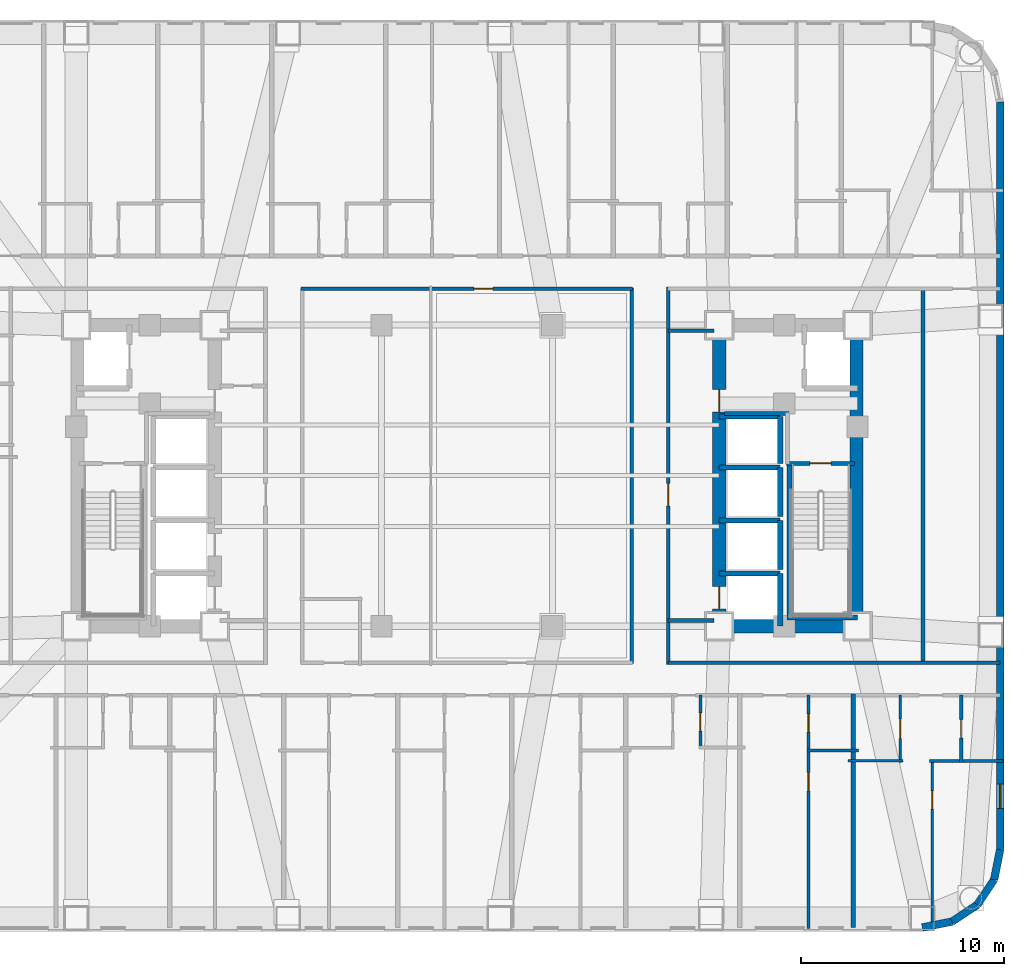
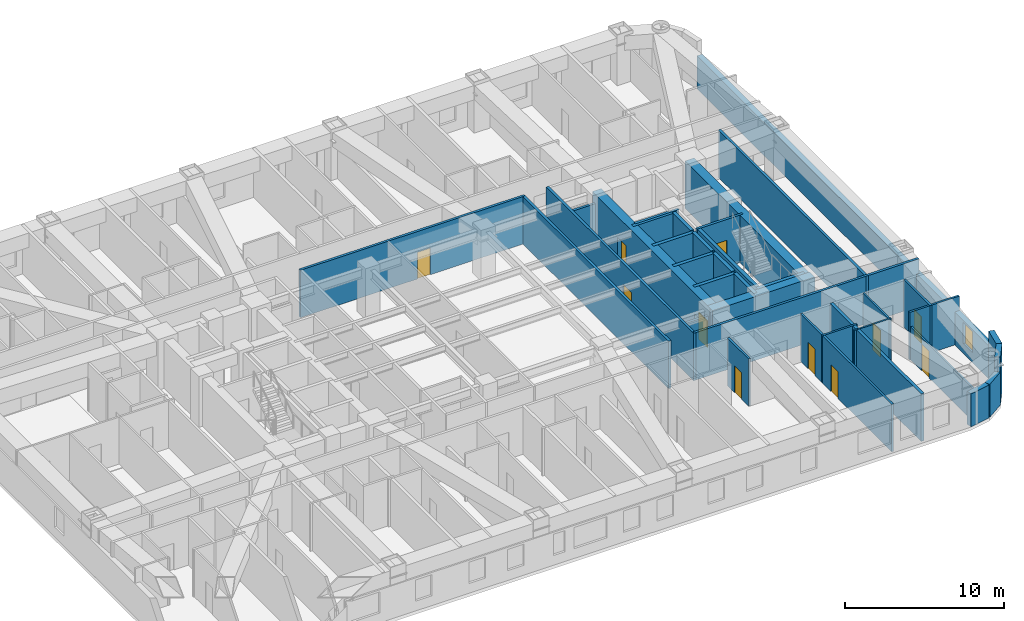
# One storey, part 6 of 12: 37 walls, 11 doors, 1 window, 12 openings.
"""IFC4 building model written with IfcOpenShell, lengths in metres."""

from ifc_helpers import new_model, si_unit, direction, frame, frame_2d, origin, place, context, subcontext, project, spatial, rectangle, extrude, material, layer, layer_set, type_object, element, fill, save


model = new_model("IFC4")

# Units and contexts
model_context = context("Model", 3, precision=1e-05, world=origin(), true_north=direction((0.0, 1.0)))
body_context = subcontext(model_context, "Body", "Model", "MODEL_VIEW")
ifc_project = project(units=[si_unit("LENGTHUNIT", "METRE"), si_unit("AREAUNIT", "SQUARE_METRE"), si_unit("VOLUMEUNIT", "CUBIC_METRE"), si_unit("PLANEANGLEUNIT", "RADIAN"), si_unit("MASSUNIT", "GRAM", prefix="KILO")], contexts=[model_context])

# Site, building, storey
site_placement = place(None, origin())
site = spatial("IfcSite", under=ifc_project, at=site_placement, CompositionType="ELEMENT")
building_placement = place(site_placement, origin())
building = spatial("IfcBuilding", under=site, at=building_placement, Name="Voryun Gate Residences", CompositionType="ELEMENT")
storey_placement = place(building_placement, frame((0.0, 0.0, 29.89990234375)))
storey = spatial("IfcBuildingStorey", under=building, at=storey_placement, Name="L06", CompositionType="ELEMENT", Elevation=29.89990234375)

# Wall
ifc_material_1 = material(Name="Concrete C60/75", Category="concrete")
ifc_layer_1 = layer(ifc_material_1, 0.64990234375, Name="CW_CORE_650")
ifc_layer_set_1 = layer_set([ifc_layer_1], Name="Concrete C60/75")
wall_type_1 = type_object("IfcWallType", Name="CW_CORE_650", PredefinedType="SHEAR", material=ifc_layer_set_1)
wall_1_placement = place(storey_placement, frame((12.074951171875, -7.39990234375, 0.0), z_axis=(0.0, 0.0, 1.0), x_axis=(1.0, 0.0, 0.0)))
element("IfcWall", 1, at=wall_1_placement, inside=storey, type_object=wall_type_1, Name="L06 Core shear wall CW-L06-ES", PredefinedType="SHEAR", context=body_context, shape_type="SweptSolid", body=[
    extrude(rectangle(XDim=7.449951171875, YDim=0.64990234375, at=frame_2d((3.72509765625, 0.0))), origin(), (0.0, 0.0, 1.0), 3.650146484375),
])

# Wall, openings, doors
wall_2_placement = place(storey_placement, frame((12.39990234375, -7.39990234375, 0.0), z_axis=(0.0, 0.0, 1.0), x_axis=(0.0, 1.0, 0.0)))
wall_2 = element("IfcWall", 2, at=wall_2_placement, inside=storey, type_object=wall_type_1, Name="L06 Core shear wall CW-L06-EW", PredefinedType="SHEAR", context=body_context, shape_type="SweptSolid", body=[
    extrude(rectangle(XDim=14.7998046875, YDim=0.64990234375, at=frame_2d((7.39990234375, 0.0))), origin(), (0.0, 0.0, 1.0), 3.650146484375),
])
opening_1_placement = place(wall_2_placement, frame((0.85009765625, 0.0, 0.0)))
opening_1 = element("IfcOpeningElement", 3, at=opening_1_placement, cuts=wall_2, Name="Opening LD2", PredefinedType="OPENING", context=body_context, shape_type="SweptSolid", body=[
    extrude(rectangle(XDim=1.10009765625, YDim=2.050048828125, at=frame_2d((0.550048828125, 1.02490234375))), frame((0.0, 0.3349609375, 0.0), z_axis=(0.0, -1.0, 0.0), x_axis=(1.0, 0.0, 0.0)), (0.0, 0.0, 1.0), 0.669921875),
])
opening_2_placement = place(wall_2_placement, frame((10.530029296875, 0.0, 0.0)))
opening_2 = element("IfcOpeningElement", 4, at=opening_2_placement, cuts=wall_2, Name="Opening D-FD60-2", PredefinedType="OPENING", context=body_context, shape_type="SweptSolid", body=[
    extrude(rectangle(XDim=1.10009765625, YDim=2.050048828125, at=frame_2d((0.550048828125, 1.02490234375))), frame((0.0, 0.3349609375, 0.0), z_axis=(0.0, -1.0, 0.0), x_axis=(1.0, 0.0, 0.0)), (0.0, 0.0, 1.0), 0.669921875),
])
ifc_material_2 = material(Name="Painted steel fire door", Category="steel")
door_type_1 = type_object("IfcDoorType", Name="DR_FD60_FFLOB_1100", OperationType="NOTDEFINED", PredefinedType="DOOR", material=ifc_material_2)
door_1_placement = place(opening_2_placement, origin())
door_1 = element("IfcDoor", 5, at=door_1_placement, inside=storey, type_object=door_type_1, Name="Door DR-L06-CLOB-E", OperationType="SINGLE_SWING_RIGHT", OverallHeight=2.050048828125, OverallWidth=1.10009765625, PredefinedType="DOOR", context=body_context, shape_type="SweptSolid", body=[
    extrude(rectangle(XDim=1.10009765625, YDim=2.050048828125, at=frame_2d((0.550048828125, 1.02490234375))), frame((0.0, 0.02490234375, 0.0), z_axis=(0.0, -1.0, 0.0), x_axis=(1.0, 0.0, 0.0)), (0.0, 0.0, 1.0), 0.050048828125),
])
fill(opening_2, door_1)
ifc_material_3 = material(Name="Anodised aluminium", Category="aluminium")
door_type_2 = type_object("IfcDoorType", Name="DR_LD_PASS_1100", OperationType="NOTDEFINED", PredefinedType="DOOR", material=ifc_material_3)
door_2_placement = place(opening_1_placement, origin())
door_2 = element("IfcDoor", 6, at=door_2_placement, inside=storey, type_object=door_type_2, Name="Lift EL-P3 sliding landing door L06", OperationType="SLIDING_TO_LEFT", OverallHeight=2.050048828125, OverallWidth=1.10009765625, PredefinedType="DOOR", context=body_context, shape_type="SweptSolid", body=[
    extrude(rectangle(XDim=1.10009765625, YDim=2.050048828125, at=frame_2d((0.550048828125, 1.02490234375))), frame((0.0, 0.02490234375, 0.0), z_axis=(0.0, -1.0, 0.0), x_axis=(1.0, 0.0, 0.0)), (0.0, 0.0, 1.0), 0.050048828125),
])
fill(opening_1, door_2)

# Wall
wall_3_placement = place(storey_placement, frame((19.14501953125, -7.39990234375, 0.0), z_axis=(0.0, 0.0, 1.0), x_axis=(0.0, 1.0, 0.0)))
element("IfcWall", 7, at=wall_3_placement, inside=storey, type_object=wall_type_1, Name="L06 Core shear wall CW-L06-EE", PredefinedType="SHEAR", context=body_context, shape_type="SweptSolid", body=[
    extrude(rectangle(XDim=14.7998046875, YDim=0.64990234375, at=frame_2d((7.39990234375, 0.0))), origin(), (0.0, 0.0, 1.0), 3.650146484375),
])

# Wall, opening, door
ifc_material_4 = material(Name="Gypsum acoustic fireboard")
ifc_layer_2 = layer(ifc_material_4, 0.179931640625, Name="W_CORR_RATED_180")
ifc_layer_set_2 = layer_set([ifc_layer_2], Name="Gypsum acoustic fireboard")
wall_type_2 = type_object("IfcWallType", Name="W_CORR_RATED_180", PredefinedType="PARTITIONING", material=ifc_layer_set_2)
wall_4_placement = place(storey_placement, frame((15.699951171875, 0.60009765625, 0.0), z_axis=(0.0, 0.0, 1.0), x_axis=(1.0, 0.0, 0.0)))
wall_4 = element("IfcWall", 8, at=wall_4_placement, inside=storey, type_object=wall_type_2, Name="Partition wall WP-L06-STV-E", PredefinedType="PARTITIONING", context=body_context, shape_type="SweptSolid", body=[
    extrude(rectangle(XDim=3.360107421875, YDim=0.179931640625, at=frame_2d((1.68017578125, 0.0))), origin(), (0.0, 0.0, 1.0), 3.650146484375),
])
opening_3_placement = place(wall_4_placement, frame((1.155029296875, 0.0, 0.0)))
opening_3 = element("IfcOpeningElement", 9, at=opening_3_placement, cuts=wall_4, Name="Opening D-FD60-1", PredefinedType="OPENING", context=body_context, shape_type="SweptSolid", body=[
    extrude(rectangle(XDim=1.050048828125, YDim=2.050048828125, at=frame_2d((0.52490234375, 1.02490234375))), frame((0.0, 0.099853515625, 0.0), z_axis=(0.0, -1.0, 0.0), x_axis=(1.0, 0.0, 0.0)), (0.0, 0.0, 1.0), 0.199951171875),
])
ifc_material_5 = material(Name="Painted steel fire door", Category="steel")
door_type_3 = type_object("IfcDoorType", Name="DR_FD60_STAIR_1050", OperationType="NOTDEFINED", PredefinedType="DOOR", material=ifc_material_5)
door_3_placement = place(opening_3_placement, origin())
door_3 = element("IfcDoor", 10, at=door_3_placement, inside=storey, type_object=door_type_3, Name="Door DR-L06-ST-E", OperationType="SINGLE_SWING_RIGHT", OverallHeight=2.050048828125, OverallWidth=1.050048828125, PredefinedType="DOOR", context=body_context, shape_type="SweptSolid", body=[
    extrude(rectangle(XDim=1.050048828125, YDim=2.050048828125, at=frame_2d((0.52490234375, 1.02490234375))), frame((0.0, 0.02490234375, 0.0), z_axis=(0.0, -1.0, 0.0), x_axis=(1.0, 0.0, 0.0)), (0.0, 0.0, 1.0), 0.050048828125),
])
fill(opening_3, door_3)

# Walls
for number, where, z_axis, x_axis, name in (
    (11, (9.8798828125, 7.1201171875, 0.0), (0.0, 0.0, 1.0), (1.0, 0.0, 0.0), "Partition wall WP-L06-PLBN-E"),
    (12, (9.8798828125, -7.1201171875, 0.0), (0.0, 0.0, 1.0), (1.0, 0.0, 0.0), "Partition wall WP-L06-PLBS-E"),
):
    element("IfcWall", number, at=place(storey_placement, frame(where, z_axis=z_axis, x_axis=x_axis)), inside=storey, type_object=wall_type_2, Name=name, PredefinedType="PARTITIONING", context=body_context, shape_type="SweptSolid", body=[
        extrude(rectangle(XDim=2.27001953125, YDim=0.179931640625, at=frame_2d((1.135009765625, 0.0))), origin(), (0.0, 0.0, 1.0), 2.940185546875),
    ])

# Wall, opening, door
wall_5_placement = place(storey_placement, frame((9.89990234375, -9.280029296875, 0.0), z_axis=(0.0, 0.0, 1.0), x_axis=(0.0, 1.0, 0.0)))
wall_5 = element("IfcWall", 13, at=wall_5_placement, inside=storey, type_object=wall_type_2, Name="Partition wall WP-L06-PLBE-FULL", PredefinedType="PARTITIONING", context=body_context, shape_type="SweptSolid", body=[
    extrude(rectangle(XDim=18.56005859375, YDim=0.179931640625, at=frame_2d((9.280029296875, 0.0))), origin(), (0.0, 0.0, 1.0), 3.650146484375),
])
opening_4_placement = place(wall_5_placement, frame((7.802001953125, 0.0, 0.0)))
opening_4 = element("IfcOpeningElement", 14, at=opening_4_placement, cuts=wall_5, Name="Opening D-FD60-2", PredefinedType="OPENING", context=body_context, shape_type="SweptSolid", body=[
    extrude(rectangle(XDim=1.10009765625, YDim=2.050048828125, at=frame_2d((0.550048828125, 1.02490234375))), frame((0.0, 0.099853515625, 0.0), z_axis=(0.0, -1.0, 0.0), x_axis=(1.0, 0.0, 0.0)), (0.0, 0.0, 1.0), 0.199951171875),
])
door_4_placement = place(opening_4_placement, origin())
door_4 = element("IfcDoor", 15, at=door_4_placement, inside=storey, type_object=door_type_1, Name="Door DR-L06-PLBE-COR", OperationType="SINGLE_SWING_RIGHT", OverallHeight=2.050048828125, OverallWidth=1.10009765625, PredefinedType="DOOR", context=body_context, shape_type="SweptSolid", body=[
    extrude(rectangle(XDim=1.10009765625, YDim=2.050048828125, at=frame_2d((0.550048828125, 1.02490234375))), frame((0.0, 0.02490234375, 0.0), z_axis=(0.0, -1.0, 0.0), x_axis=(1.0, 0.0, 0.0)), (0.0, 0.0, 1.0), 0.050048828125),
])
fill(opening_4, door_4)

# Wall
wall_6_placement = place(storey_placement, frame((9.8798828125, -9.18994140625, 0.0), z_axis=(0.0, 0.0, 1.0), x_axis=(1.0, 0.0, 0.0)))
element("IfcWall", 16, at=wall_6_placement, inside=storey, type_object=wall_type_2, Name="Partition wall WP-L06-CWING-ES", PredefinedType="PARTITIONING", context=body_context, shape_type="SweptSolid", body=[
    extrude(rectangle(XDim=16.330078125, YDim=0.179931640625, at=frame_2d((8.1650390625, 0.0))), origin(), (0.0, 0.0, 1.0), 3.650146484375),
])

# Wall, opening, door
wall_7_placement = place(storey_placement, frame((-8.14990234375, 9.18994140625, 0.0), z_axis=(0.0, 0.0, 1.0), x_axis=(1.0, 0.0, 0.0)))
wall_7 = element("IfcWall", 17, at=wall_7_placement, inside=storey, type_object=wall_type_2, Name="Partition wall WP-L06-Z1N", PredefinedType="PARTITIONING", context=body_context, shape_type="SweptSolid", body=[
    extrude(rectangle(XDim=16.2998046875, YDim=0.179931640625, at=frame_2d((8.14990234375, 0.0))), origin(), (0.0, 0.0, 1.0), 3.650146484375),
])
opening_5_placement = place(wall_7_placement, frame((8.489990234375, 0.0, 0.0)))
opening_5 = element("IfcOpeningElement", 18, at=opening_5_placement, cuts=wall_7, Name="Opening D-INT-1", PredefinedType="OPENING", context=body_context, shape_type="SweptSolid", body=[
    extrude(rectangle(XDim=0.949951171875, YDim=2.050048828125, at=frame_2d((0.47509765625, 1.02490234375))), frame((0.0, 0.099853515625, 0.0), z_axis=(0.0, -1.0, 0.0), x_axis=(1.0, 0.0, 0.0)), (0.0, 0.0, 1.0), 0.199951171875),
])
ifc_material_6 = material(Name="Architectural oak veneer")
door_type_4 = type_object("IfcDoorType", Name="DR_INT_ROOM_950", OperationType="NOTDEFINED", PredefinedType="DOOR", material=ifc_material_6)
door_5_placement = place(opening_5_placement, origin())
door_5 = element("IfcDoor", 19, at=door_5_placement, inside=storey, type_object=door_type_4, Name="Door DR-L06-CMIDZ1N", OperationType="SINGLE_SWING_LEFT", OverallHeight=2.050048828125, OverallWidth=0.949951171875, PredefinedType="DOOR", context=body_context, shape_type="SweptSolid", body=[
    extrude(rectangle(XDim=0.949951171875, YDim=2.050048828125, at=frame_2d((0.47509765625, 1.02490234375))), frame((0.0, 0.02490234375, 0.0), z_axis=(0.0, -1.0, 0.0), x_axis=(1.0, 0.0, 0.0)), (0.0, 0.0, 1.0), 0.050048828125),
])
fill(opening_5, door_5)

# Walls
wall_8_placement = place(storey_placement, frame((8.10009765625, -9.22998046875, 0.0), z_axis=(0.0, 0.0, 1.0), x_axis=(0.0, 1.0, 0.0)))
element("IfcWall", 20, at=wall_8_placement, inside=storey, type_object=wall_type_2, Name="Partition wall WP-L06-Z1E", PredefinedType="PARTITIONING", context=body_context, shape_type="SweptSolid", body=[
    extrude(rectangle(XDim=18.4599609375, YDim=0.179931640625, at=frame_2d((9.22998046875, 0.0))), origin(), (0.0, 0.0, 1.0), 3.650146484375),
])
wall_9_placement = place(storey_placement, frame((22.419921875, -9.280029296875, 0.0), z_axis=(0.0, 0.0, 1.0), x_axis=(0.0, 1.0, 0.0)))
element("IfcWall", 21, at=wall_9_placement, inside=storey, type_object=wall_type_2, Name="Partition wall WP-L06-EEND", PredefinedType="PARTITIONING", context=body_context, shape_type="SweptSolid", body=[
    extrude(rectangle(XDim=18.56005859375, YDim=0.179931640625, at=frame_2d((9.280029296875, 0.0))), origin(), (0.0, 0.0, 1.0), 3.650146484375),
])

# Wall, opening, window
ifc_material_7 = material(Name="Granite masonry", Category="masonry")
ifc_layer_3 = layer(ifc_material_7, 0.3798828125, Name="W_EXT_GRANITE_380")
ifc_layer_set_3 = layer_set([ifc_layer_3], Name="Granite masonry")
wall_type_3 = type_object("IfcWallType", Name="W_EXT_GRANITE_380", PredefinedType="ELEMENTEDWALL", material=ifc_layer_set_3)
wall_10_placement = place(storey_placement, frame((26.2099609375, 18.38134765625, 0.0), z_axis=(0.0, 0.0, 1.0), x_axis=(0.0, -1.0, 0.0)))
wall_10 = element("IfcWall", 22, at=wall_10_placement, inside=storey, type_object=wall_type_3, Name="Exterior wall WEXT-L06-16", PredefinedType="ELEMENTEDWALL", context=body_context, shape_type="SweptSolid", body=[
    extrude(rectangle(XDim=36.7626953125, YDim=0.3798828125, at=frame_2d((18.38134765625, 0.0))), origin(), (0.0, 0.0, 1.0), 2.5400390625),
])
opening_6_placement = place(wall_10_placement, frame((33.536865234375, 0.0, 0.75)))
opening_6 = element("IfcOpeningElement", 23, at=opening_6_placement, cuts=wall_10, Name="Opening WN6", PredefinedType="OPENING", context=body_context, shape_type="SweptSolid", body=[
    extrude(rectangle(XDim=1.199951171875, YDim=1.6298828125, at=frame_2d((0.60009765625, 0.81494140625))), frame((0.0, 0.199951171875, 0.0), z_axis=(0.0, -1.0, 0.0), x_axis=(1.0, 0.0, 0.0)), (0.0, 0.0, 1.0), 0.39990234375),
])
ifc_material_8 = material(Name="Laminated low-E glass", Category="glass")
window_type = type_object("IfcWindowType", Name="WN_POD_SLOT_1200", PartitioningType="SINGLE_PANEL", PredefinedType="WINDOW", material=ifc_material_8)
window_placement = place(opening_6_placement, origin())
window = element("IfcWindow", 24, at=window_placement, inside=storey, type_object=window_type, Name="Window WN-L06-DWFIX-30", OverallHeight=1.6298828125, OverallWidth=1.199951171875, PartitioningType="SINGLE_PANEL", PredefinedType="WINDOW", context=body_context, shape_type="SweptSolid", body=[
    extrude(rectangle(XDim=1.199951171875, YDim=1.6298828125, at=frame_2d((0.60009765625, 0.81494140625))), frame((0.0, 0.030029296875, 0.0), z_axis=(0.0, -1.0, 0.0), x_axis=(1.0, 0.0, 0.0)), (0.0, 0.0, 1.0), 0.06005859375),
])
fill(opening_6, window)

# Walls
wall_11_placement = place(storey_placement, frame((26.2099609375, -18.38134765625, 0.0), z_axis=(0.0, 0.0, 1.0), x_axis=(-0.195086038585, -0.980786132421, 0.0)))
element("IfcWall", 25, at=wall_11_placement, inside=storey, type_object=wall_type_3, Name="Exterior wall WEXT-L06-17", PredefinedType="ELEMENTEDWALL", context=body_context, shape_type="SweptSolid", body=[
    extrude(rectangle(XDim=1.504150390625, YDim=0.3798828125, at=frame_2d((0.751953125, 0.0))), origin(), (0.0, 0.0, 1.0), 3.650146484375),
])
wall_12_placement = place(storey_placement, frame((25.91650390625, -19.856689453125, 0.0), z_axis=(0.0, 0.0, 1.0), x_axis=(-0.555686231674, -0.831392092774, 0.0)))
element("IfcWall", 26, at=wall_12_placement, inside=storey, type_object=wall_type_3, Name="Exterior wall WEXT-L06-18", PredefinedType="ELEMENTEDWALL", context=body_context, shape_type="SweptSolid", body=[
    extrude(rectangle(XDim=1.485107421875, YDim=0.3798828125, at=frame_2d((0.74267578125, 0.0))), origin(), (0.0, 0.0, 1.0), 3.650146484375),
])
wall_13_placement = place(storey_placement, frame((25.09130859375, -21.09130859375, 0.0), z_axis=(0.0, 0.0, 1.0), x_axis=(-0.831392092774, -0.555686231674, 0.0)))
element("IfcWall", 27, at=wall_13_placement, inside=storey, type_object=wall_type_3, Name="Exterior wall WEXT-L06-19", PredefinedType="ELEMENTEDWALL", context=body_context, shape_type="SweptSolid", body=[
    extrude(rectangle(XDim=1.485107421875, YDim=0.3798828125, at=frame_2d((0.74267578125, 0.0))), origin(), (0.0, 0.0, 1.0), 2.5400390625),
])
wall_14_placement = place(storey_placement, frame((23.856689453125, -21.91650390625, 0.0), z_axis=(0.0, 0.0, 1.0), x_axis=(-0.980786132421, -0.195086038585, 0.0)))
element("IfcWall", 28, at=wall_14_placement, inside=storey, type_object=wall_type_3, Name="Exterior wall WEXT-L06-20", PredefinedType="ELEMENTEDWALL", context=body_context, shape_type="SweptSolid", body=[
    extrude(rectangle(XDim=1.504150390625, YDim=0.3798828125, at=frame_2d((0.751953125, 0.0))), origin(), (0.0, 0.0, 1.0), 2.5400390625),
])
ifc_material_9 = material(Name="Concrete C40/50", Category="concrete")
ifc_layer_4 = layer(ifc_material_9, 0.199951171875, Name="W_FF_LOBBY_200")
ifc_layer_set_4 = layer_set([ifc_layer_4], Name="Concrete C40/50")
wall_type_4 = type_object("IfcWallType", Name="W_FF_LOBBY_200", PredefinedType="PARTITIONING", material=ifc_layer_set_4)
wall_15_placement = place(storey_placement, frame((12.659912109375, 3.06005859375, 0.0), z_axis=(0.0, 0.0, 1.0), x_axis=(1.0, 0.0, 0.0)))
element("IfcWall", 29, at=wall_15_placement, inside=storey, type_object=wall_type_4, Name="Partition wall WP-L06-FFPS-E", PredefinedType="PARTITIONING", context=body_context, shape_type="SweptSolid", body=[
    extrude(rectangle(XDim=3.16015625, YDim=0.199951171875, at=frame_2d((1.580078125, 0.0))), origin(), (0.0, 0.0, 1.0), 3.650146484375),
])
ifc_material_10 = material(Name="Concrete C40/50", Category="concrete")
ifc_layer_5 = layer(ifc_material_10, 0.219970703125, Name="W_PARTY_ACOUSTIC_220")
ifc_layer_set_5 = layer_set([ifc_layer_5], Name="Concrete C40/50")
wall_type_5 = type_object("IfcWallType", Name="W_PARTY_ACOUSTIC_220", PredefinedType="PARTITIONING", material=ifc_layer_set_5)
wall_16_placement = place(storey_placement, frame((19.0, -22.2099609375, 0.0), z_axis=(0.0, 0.0, 1.0), x_axis=(0.0, 1.0, 0.0)))
element("IfcWall", 30, at=wall_16_placement, inside=storey, type_object=wall_type_5, Name="Partition wall WP-L06-SPTY-9", PredefinedType="PARTITIONING", context=body_context, shape_type="SweptSolid", body=[
    extrude(rectangle(XDim=11.489990234375, YDim=0.219970703125, at=frame_2d((5.7451171875, 0.0))), origin(), (0.0, 0.0, 1.0), 3.650146484375),
])
ifc_material_11 = material(Name="Concrete C50/60", Category="concrete")
ifc_layer_6 = layer(ifc_material_11, 0.25, Name="W_SHAFT_RC250")
ifc_layer_set_6 = layer_set([ifc_layer_6], Name="Concrete C50/60")
wall_type_6 = type_object("IfcWallType", Name="W_SHAFT_RC250", PredefinedType="SOLIDWALL", material=ifc_layer_set_6)
wall_17_placement = place(storey_placement, frame((15.860107421875, -7.0849609375, 0.0), z_axis=(0.0, 0.0, 1.0), x_axis=(0.0, 1.0, 0.0)))
element("IfcWall", 31, at=wall_17_placement, inside=storey, type_object=wall_type_6, Name="L06 Stair shaft structural wall E-STL", PredefinedType="SOLIDWALL", context=body_context, shape_type="SweptSolid", body=[
    extrude(rectangle(XDim=7.68505859375, YDim=0.25, at=frame_2d((3.842529296875, 0.0))), origin(), (0.0, 0.0, 1.0), 3.650146484375),
])
wall_18_placement = place(storey_placement, frame((15.739990234375, -6.965087890625, 0.0), z_axis=(0.0, 0.0, 1.0), x_axis=(1.0, 0.0, 0.0)))
element("IfcWall", 32, at=wall_18_placement, inside=storey, type_object=wall_type_6, Name="L06 Stair shaft structural wall E-STS", PredefinedType="SOLIDWALL", context=body_context, shape_type="SweptSolid", body=[
    extrude(rectangle(XDim=3.4599609375, YDim=0.25, at=frame_2d((1.72998046875, 0.0))), origin(), (0.0, 0.0, 1.0), 3.650146484375),
])
wall_19_placement = place(storey_placement, frame((15.39990234375, -7.39990234375, 0.0), z_axis=(0.0, 0.0, 1.0), x_axis=(0.0, 1.0, 0.0)))
element("IfcWall", 33, at=wall_19_placement, inside=storey, type_object=wall_type_6, Name="Lift shaft wall WSH-L06-EL-P3-E", PredefinedType="SOLIDWALL", context=body_context, shape_type="SweptSolid", body=[
    extrude(rectangle(XDim=2.599853515625, YDim=0.25, at=frame_2d((1.2998046875, 0.0))), origin(), (0.0, 0.0, 1.0), 3.650146484375),
])
wall_20_placement = place(storey_placement, frame((15.39990234375, -4.800048828125, 0.0), z_axis=(0.0, 0.0, 1.0), x_axis=(-1.0, 0.0, 0.0)))
element("IfcWall", 34, at=wall_20_placement, inside=storey, type_object=wall_type_6, Name="Lift shaft wall WSH-L06-EL-P3-N", PredefinedType="SOLIDWALL", context=body_context, shape_type="SweptSolid", body=[
    extrude(rectangle(XDim=3.0, YDim=0.25, at=frame_2d((1.5, 0.0))), origin(), (0.0, 0.0, 1.0), 3.650146484375),
])
wall_21_placement = place(storey_placement, frame((15.39990234375, -4.60009765625, 0.0), z_axis=(0.0, 0.0, 1.0), x_axis=(0.0, 1.0, 0.0)))
element("IfcWall", 35, at=wall_21_placement, inside=storey, type_object=wall_type_6, Name="Lift shaft wall WSH-L06-EL-P5-E", PredefinedType="SOLIDWALL", context=body_context, shape_type="SweptSolid", body=[
    extrude(rectangle(XDim=2.400146484375, YDim=0.25, at=frame_2d((1.2001953125, 0.0))), origin(), (0.0, 0.0, 1.0), 3.650146484375),
])
wall_22_placement = place(storey_placement, frame((15.39990234375, -2.199951171875, 0.0), z_axis=(0.0, 0.0, 1.0), x_axis=(-1.0, 0.0, 0.0)))
element("IfcWall", 36, at=wall_22_placement, inside=storey, type_object=wall_type_6, Name="Lift shaft wall WSH-L06-EL-P5-N", PredefinedType="SOLIDWALL", context=body_context, shape_type="SweptSolid", body=[
    extrude(rectangle(XDim=3.0, YDim=0.25, at=frame_2d((1.5, 0.0))), origin(), (0.0, 0.0, 1.0), 3.650146484375),
])
wall_23_placement = place(storey_placement, frame((15.39990234375, -2.0, 0.0), z_axis=(0.0, 0.0, 1.0), x_axis=(0.0, 1.0, 0.0)))
element("IfcWall", 37, at=wall_23_placement, inside=storey, type_object=wall_type_6, Name="Lift shaft wall WSH-L06-EL-P6-E", PredefinedType="SOLIDWALL", context=body_context, shape_type="SweptSolid", body=[
    extrude(rectangle(XDim=2.39990234375, YDim=0.25, at=frame_2d((1.199951171875, 0.0))), origin(), (0.0, 0.0, 1.0), 3.650146484375),
])
wall_24_placement = place(storey_placement, frame((15.39990234375, 0.39990234375, 0.0), z_axis=(0.0, 0.0, 1.0), x_axis=(-1.0, 0.0, 0.0)))
element("IfcWall", 38, at=wall_24_placement, inside=storey, type_object=wall_type_6, Name="Lift shaft wall WSH-L06-EL-P6-N", PredefinedType="SOLIDWALL", context=body_context, shape_type="SweptSolid", body=[
    extrude(rectangle(XDim=3.0, YDim=0.25, at=frame_2d((1.5, 0.0))), origin(), (0.0, 0.0, 1.0), 3.650146484375),
])
wall_25_placement = place(storey_placement, frame((15.39990234375, 0.60009765625, 0.0), z_axis=(0.0, 0.0, 1.0), x_axis=(0.0, 1.0, 0.0)))
element("IfcWall", 39, at=wall_25_placement, inside=storey, type_object=wall_type_6, Name="Lift shaft wall WSH-L06-EL-P8-E", PredefinedType="SOLIDWALL", context=body_context, shape_type="SweptSolid", body=[
    extrude(rectangle(XDim=2.2998046875, YDim=0.25, at=frame_2d((1.14990234375, 0.0))), origin(), (0.0, 0.0, 1.0), 3.650146484375),
])
wall_26_placement = place(storey_placement, frame((15.39990234375, 2.89990234375, 0.0), z_axis=(0.0, 0.0, 1.0), x_axis=(-1.0, 0.0, 0.0)))
element("IfcWall", 40, at=wall_26_placement, inside=storey, type_object=wall_type_6, Name="Lift shaft wall WSH-L06-EL-P8-N", PredefinedType="SOLIDWALL", context=body_context, shape_type="SweptSolid", body=[
    extrude(rectangle(XDim=3.0, YDim=0.25, at=frame_2d((1.5, 0.0))), origin(), (0.0, 0.0, 1.0), 3.650146484375),
])

# Wall, opening, door
ifc_material_12 = material(Name="Gypsum acoustic partition")
ifc_layer_7 = layer(ifc_material_12, 0.125, Name="W_UNIT_PART_125")
ifc_layer_set_7 = layer_set([ifc_layer_7], Name="Gypsum acoustic partition")
wall_type_7 = type_object("IfcWallType", Name="W_UNIT_PART_125", PredefinedType="PARTITIONING", material=ifc_layer_set_7)
wall_27_placement = place(storey_placement, frame((22.867919921875, -22.26611328125, 0.0), z_axis=(0.0, 0.0, 1.0), x_axis=(0.0, 1.0, 0.0)))
wall_27 = element("IfcWall", 41, at=wall_27_placement, inside=storey, type_object=wall_type_7, Name="Partition wall WP-L06-S10-OVR", PredefinedType="PARTITIONING", context=body_context, shape_type="SweptSolid", body=[
    extrude(rectangle(XDim=8.326171875, YDim=0.125, at=frame_2d((4.1630859375, 0.0))), origin(), (0.0, 0.0, 1.0), 2.5400390625),
])
opening_7_placement = place(wall_27_placement, frame((5.877685546875, 0.0, 0.0)))
opening_7 = element("IfcOpeningElement", 42, at=opening_7_placement, cuts=wall_27, Name="Opening D-INT-2", PredefinedType="OPENING", context=body_context, shape_type="SweptSolid", body=[
    extrude(rectangle(XDim=0.89990234375, YDim=2.050048828125, at=frame_2d((0.449951171875, 1.02490234375))), frame((0.0, 0.072509765625, 0.0), z_axis=(0.0, -1.0, 0.0), x_axis=(1.0, 0.0, 0.0)), (0.0, 0.0, 1.0), 0.14501953125),
])
ifc_material_13 = material(Name="Architectural oak veneer")
door_type_5 = type_object("IfcDoorType", Name="DR_INT_BATH_900", OperationType="NOTDEFINED", PredefinedType="DOOR", material=ifc_material_13)
door_6_placement = place(opening_7_placement, origin())
door_6 = element("IfcDoor", 43, at=door_6_placement, inside=storey, type_object=door_type_5, Name="Door DR-L06-S10-DMB", OperationType="SINGLE_SWING_RIGHT", OverallHeight=2.050048828125, OverallWidth=0.89990234375, PredefinedType="DOOR", context=body_context, shape_type="SweptSolid", body=[
    extrude(rectangle(XDim=0.89990234375, YDim=2.050048828125, at=frame_2d((0.449951171875, 1.02490234375))), frame((0.0, 0.02490234375, 0.0), z_axis=(0.0, -1.0, 0.0), x_axis=(1.0, 0.0, 0.0)), (0.0, 0.0, 1.0), 0.050048828125),
])
fill(opening_7, door_6)

wall_28_placement = place(storey_placement, frame((21.31005859375, -14.10009765625, 0.0), z_axis=(0.0, 0.0, 1.0), x_axis=(0.0, 1.0, 0.0)))
wall_28 = element("IfcWall", 44, at=wall_28_placement, inside=storey, type_object=wall_type_7, Name="Partition wall WP-L06-S10-IVK", PredefinedType="PARTITIONING", context=body_context, shape_type="SweptSolid", body=[
    extrude(rectangle(XDim=3.320068359375, YDim=0.125, at=frame_2d((1.66015625, 0.0))), origin(), (0.0, 0.0, 1.0), 3.650146484375),
])
opening_8_placement = place(wall_28_placement, frame((1.18505859375, 0.0, 0.0)))
opening_8 = element("IfcOpeningElement", 45, at=opening_8_placement, cuts=wall_28, Name="Opening D-INT-1", PredefinedType="OPENING", context=body_context, shape_type="SweptSolid", body=[
    extrude(rectangle(XDim=0.949951171875, YDim=2.050048828125, at=frame_2d((0.47509765625, 1.02490234375))), frame((0.0, 0.072509765625, 0.0), z_axis=(0.0, -1.0, 0.0), x_axis=(1.0, 0.0, 0.0)), (0.0, 0.0, 1.0), 0.14501953125),
])
door_7_placement = place(opening_8_placement, origin())
door_7 = element("IfcDoor", 46, at=door_7_placement, inside=storey, type_object=door_type_4, Name="Door DR-L06-S10-DK", OperationType="SINGLE_SWING_LEFT", OverallHeight=2.050048828125, OverallWidth=0.949951171875, PredefinedType="DOOR", context=body_context, shape_type="SweptSolid", body=[
    extrude(rectangle(XDim=0.949951171875, YDim=2.050048828125, at=frame_2d((0.47509765625, 1.02490234375))), frame((0.0, 0.02490234375, 0.0), z_axis=(0.0, -1.0, 0.0), x_axis=(1.0, 0.0, 0.0)), (0.0, 0.0, 1.0), 0.050048828125),
])
fill(opening_8, door_7)

# Wall
wall_29_placement = place(storey_placement, frame((18.739990234375, -14.02001953125, 0.0), z_axis=(0.0, 0.0, 1.0), x_axis=(1.0, 0.0, 0.0)))
element("IfcWall", 47, at=wall_29_placement, inside=storey, type_object=wall_type_7, Name="Partition wall WP-L06-S10-HZK", PredefinedType="PARTITIONING", context=body_context, shape_type="SweptSolid", body=[
    extrude(rectangle(XDim=2.68994140625, YDim=0.125, at=frame_2d((1.344970703125, 0.0))), origin(), (0.0, 0.0, 1.0), 3.650146484375),
])

# Wall, opening, door
ifc_material_14 = material(Name="Gypsum moisture-resistant partition")
ifc_layer_8 = layer(ifc_material_14, 0.14990234375, Name="W_WET_PLUMB_150")
ifc_layer_set_8 = layer_set([ifc_layer_8], Name="Gypsum moisture-resistant partition")
wall_type_8 = type_object("IfcWallType", Name="W_WET_PLUMB_150", PredefinedType="PLUMBINGWALL", material=ifc_layer_set_8)
wall_30_placement = place(storey_placement, frame((11.47705078125, -13.429931640625, 0.0), z_axis=(0.0, 0.0, 1.0), x_axis=(0.0, 1.0, 0.0)))
wall_30 = element("IfcWall", 48, at=wall_30_placement, inside=storey, type_object=wall_type_8, Name="Partition wall WP-L06-S8-CVB", PredefinedType="PLUMBINGWALL", context=body_context, shape_type="SweptSolid", body=[
    extrude(rectangle(XDim=2.64990234375, YDim=0.14990234375, at=frame_2d((1.324951171875, 0.0))), origin(), (0.0, 0.0, 1.0), 3.650146484375),
])
opening_9_placement = place(wall_30_placement, frame((0.875, 0.0, 0.0)))
opening_9 = element("IfcOpeningElement", 49, at=opening_9_placement, cuts=wall_30, Name="Opening D-INT-2", PredefinedType="OPENING", context=body_context, shape_type="SweptSolid", body=[
    extrude(rectangle(XDim=0.89990234375, YDim=2.050048828125, at=frame_2d((0.449951171875, 1.02490234375))), frame((0.0, 0.0849609375, 0.0), z_axis=(0.0, -1.0, 0.0), x_axis=(1.0, 0.0, 0.0)), (0.0, 0.0, 1.0), 0.169921875),
])
door_8_placement = place(opening_9_placement, origin())
door_8 = element("IfcDoor", 50, at=door_8_placement, inside=storey, type_object=door_type_5, Name="Door DR-L06-S8-DB", OperationType="SINGLE_SWING_RIGHT", OverallHeight=2.050048828125, OverallWidth=0.89990234375, PredefinedType="DOOR", context=body_context, shape_type="SweptSolid", body=[
    extrude(rectangle(XDim=0.89990234375, YDim=2.050048828125, at=frame_2d((0.449951171875, 1.02490234375))), frame((0.0, 0.02490234375, 0.0), z_axis=(0.0, -1.0, 0.0), x_axis=(1.0, 0.0, 0.0)), (0.0, 0.0, 1.0), 0.050048828125),
])
fill(opening_9, door_8)

# Wall
wall_31_placement = place(storey_placement, frame((16.7099609375, -13.5, 0.0), z_axis=(0.0, 0.0, 1.0), x_axis=(1.0, 0.0, 0.0)))
element("IfcWall", 51, at=wall_31_placement, inside=storey, type_object=wall_type_8, Name="Partition wall WP-L06-S9-SKB", PredefinedType="PLUMBINGWALL", context=body_context, shape_type="SweptSolid", body=[
    extrude(rectangle(XDim=2.550048828125, YDim=0.14990234375, at=frame_2d((1.27490234375, 0.0))), origin(), (0.0, 0.0, 1.0), 3.650146484375),
])

# Wall, opening, door
wall_32_placement = place(storey_placement, frame((16.7900390625, -22.257568359375, 0.0), z_axis=(0.0, 0.0, 1.0), x_axis=(0.0, 1.0, 0.0)))
wall_32 = element("IfcWall", 52, at=wall_32_placement, inside=storey, type_object=wall_type_8, Name="Partition wall WP-L06-S9-SVT1", PredefinedType="PLUMBINGWALL", context=body_context, shape_type="SweptSolid", body=[
    extrude(rectangle(XDim=8.797607421875, YDim=0.14990234375, at=frame_2d((4.39892578125, 0.0))), origin(), (0.0, 0.0, 1.0), 3.650146484375),
])
opening_10_placement = place(wall_32_placement, frame((6.763916015625, 0.0, 0.0)))
opening_10 = element("IfcOpeningElement", 53, at=opening_10_placement, cuts=wall_32, Name="Opening D-INT-2", PredefinedType="OPENING", context=body_context, shape_type="SweptSolid", body=[
    extrude(rectangle(XDim=0.89990234375, YDim=2.050048828125, at=frame_2d((0.449951171875, 1.02490234375))), frame((0.0, 0.0849609375, 0.0), z_axis=(0.0, -1.0, 0.0), x_axis=(1.0, 0.0, 0.0)), (0.0, 0.0, 1.0), 0.169921875),
])
door_9_placement = place(opening_10_placement, origin())
door_9 = element("IfcDoor", 54, at=door_9_placement, inside=storey, type_object=door_type_5, Name="Door DR-L06-S9-DK", OperationType="SINGLE_SWING_LEFT", OverallHeight=2.050048828125, OverallWidth=0.89990234375, PredefinedType="DOOR", context=body_context, shape_type="SweptSolid", body=[
    extrude(rectangle(XDim=0.89990234375, YDim=2.050048828125, at=frame_2d((0.449951171875, 1.02490234375))), frame((0.0, 0.02490234375, 0.0), z_axis=(0.0, -1.0, 0.0), x_axis=(1.0, 0.0, 0.0)), (0.0, 0.0, 1.0), 0.050048828125),
])
fill(opening_10, door_9)

wall_33_placement = place(storey_placement, frame((16.7900390625, -13.5400390625, 0.0), z_axis=(0.0, 0.0, 1.0), x_axis=(0.0, 1.0, 0.0)))
wall_33 = element("IfcWall", 55, at=wall_33_placement, inside=storey, type_object=wall_type_8, Name="Partition wall WP-L06-S9-SVT2", PredefinedType="PLUMBINGWALL", context=body_context, shape_type="SweptSolid", body=[
    extrude(rectangle(XDim=2.760009765625, YDim=0.14990234375, at=frame_2d((1.3798828125, 0.0))), origin(), (0.0, 0.0, 1.0), 3.650146484375),
])
opening_11_placement = place(wall_33_placement, frame((0.929931640625, 0.0, 0.0)))
opening_11 = element("IfcOpeningElement", 56, at=opening_11_placement, cuts=wall_33, Name="Opening D-INT-2", PredefinedType="OPENING", context=body_context, shape_type="SweptSolid", body=[
    extrude(rectangle(XDim=0.89990234375, YDim=2.050048828125, at=frame_2d((0.449951171875, 1.02490234375))), frame((0.0, 0.0849609375, 0.0), z_axis=(0.0, -1.0, 0.0), x_axis=(1.0, 0.0, 0.0)), (0.0, 0.0, 1.0), 0.169921875),
])
door_10_placement = place(opening_11_placement, origin())
door_10 = element("IfcDoor", 57, at=door_10_placement, inside=storey, type_object=door_type_5, Name="Door DR-L06-S9-DB", OperationType="SINGLE_SWING_RIGHT", OverallHeight=2.050048828125, OverallWidth=0.89990234375, PredefinedType="DOOR", context=body_context, shape_type="SweptSolid", body=[
    extrude(rectangle(XDim=0.89990234375, YDim=2.050048828125, at=frame_2d((0.449951171875, 1.02490234375))), frame((0.0, 0.02490234375, 0.0), z_axis=(0.0, -1.0, 0.0), x_axis=(1.0, 0.0, 0.0)), (0.0, 0.0, 1.0), 0.050048828125),
])
fill(opening_11, door_10)

# Wall
wall_34_placement = place(storey_placement, frame((22.748046875, -14.02001953125, 0.0), z_axis=(0.0, 0.0, 1.0), x_axis=(1.0, 0.0, 0.0)))
element("IfcWall", 58, at=wall_34_placement, inside=storey, type_object=wall_type_8, Name="Partition wall WP-L06-S10-HZB", PredefinedType="PLUMBINGWALL", context=body_context, shape_type="SweptSolid", body=[
    extrude(rectangle(XDim=3.612060546875, YDim=0.14990234375, at=frame_2d((1.80615234375, 0.0))), origin(), (0.0, 0.0, 1.0), 3.650146484375),
])

# Wall, opening, door
wall_35_placement = place(storey_placement, frame((24.298095703125, -14.10009765625, 0.0), z_axis=(0.0, 0.0, 1.0), x_axis=(0.0, 1.0, 0.0)))
wall_35 = element("IfcWall", 59, at=wall_35_placement, inside=storey, type_object=wall_type_8, Name="Partition wall WP-L06-S10-IVB", PredefinedType="PLUMBINGWALL", context=body_context, shape_type="SweptSolid", body=[
    extrude(rectangle(XDim=3.320068359375, YDim=0.14990234375, at=frame_2d((1.66015625, 0.0))), origin(), (0.0, 0.0, 1.0), 3.650146484375),
])
opening_12_placement = place(wall_35_placement, frame((1.2099609375, 0.0, 0.0)))
opening_12 = element("IfcOpeningElement", 60, at=opening_12_placement, cuts=wall_35, Name="Opening D-INT-2", PredefinedType="OPENING", context=body_context, shape_type="SweptSolid", body=[
    extrude(rectangle(XDim=0.89990234375, YDim=2.050048828125, at=frame_2d((0.449951171875, 1.02490234375))), frame((0.0, 0.0849609375, 0.0), z_axis=(0.0, -1.0, 0.0), x_axis=(1.0, 0.0, 0.0)), (0.0, 0.0, 1.0), 0.169921875),
])
door_11_placement = place(opening_12_placement, origin())
door_11 = element("IfcDoor", 61, at=door_11_placement, inside=storey, type_object=door_type_5, Name="Door DR-L06-S10-DB", OperationType="SINGLE_SWING_RIGHT", OverallHeight=2.050048828125, OverallWidth=0.89990234375, PredefinedType="DOOR", context=body_context, shape_type="SweptSolid", body=[
    extrude(rectangle(XDim=0.89990234375, YDim=2.050048828125, at=frame_2d((0.449951171875, 1.02490234375))), frame((0.0, 0.02490234375, 0.0), z_axis=(0.0, -1.0, 0.0), x_axis=(1.0, 0.0, 0.0)), (0.0, 0.0, 1.0), 0.050048828125),
])
fill(opening_12, door_11)

save(model, "model.ifc")
